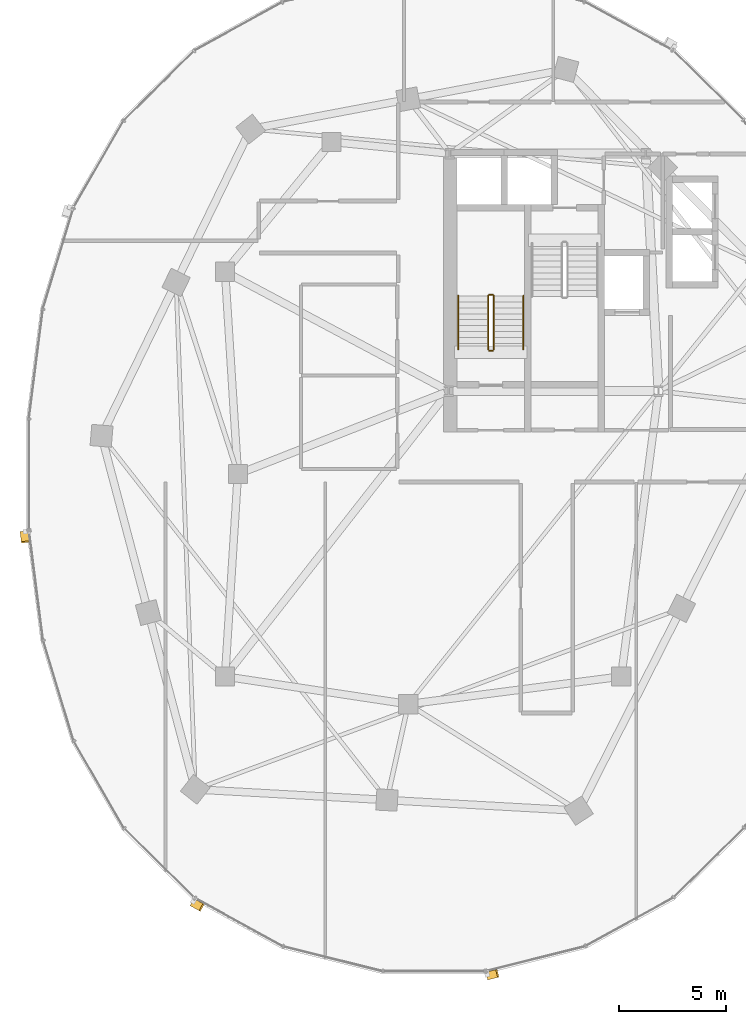
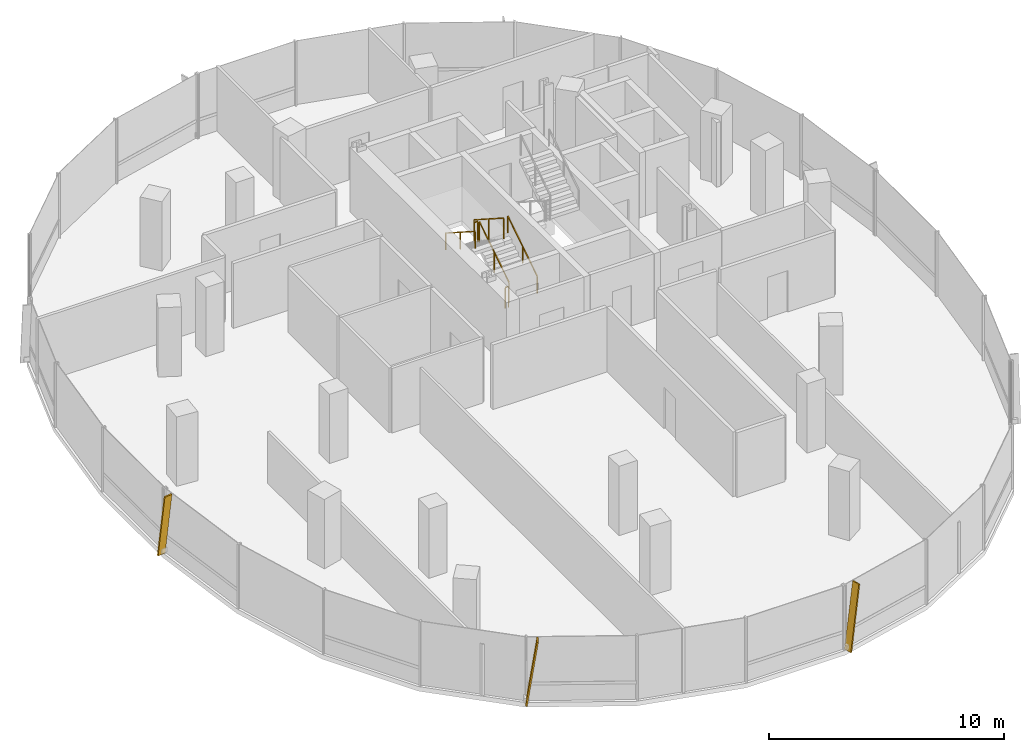
# One storey, part 18 of 22: 6 railings, 3 shading devices.
"""IFC4 building model written with IfcOpenShell, lengths in metres."""

from ifc_helpers import new_model, si_unit, direction, frame, origin, origin_2d, place, context, subcontext, project, spatial, rectangle, extrude, material, material_profile, profile_set, type_object, element, save


model = new_model("IFC4")

# Units and contexts
model_context = context("Model", 3, precision=1e-05, world=origin(), true_north=direction((0.0, 1.0)))
body_context = subcontext(model_context, "Body", "Model", "MODEL_VIEW")
ifc_project = project(units=[si_unit("LENGTHUNIT", "METRE"), si_unit("AREAUNIT", "SQUARE_METRE"), si_unit("VOLUMEUNIT", "CUBIC_METRE"), si_unit("PLANEANGLEUNIT", "RADIAN"), si_unit("MASSUNIT", "GRAM", prefix="KILO"), si_unit("THERMODYNAMICTEMPERATUREUNIT", "KELVIN"), si_unit("POWERUNIT", "WATT")], contexts=[model_context])

# Site, building, storey
site_placement = place(None, origin())
site = spatial("IfcSite", under=ifc_project, at=site_placement, CompositionType="ELEMENT")
building_placement = place(site_placement, origin())
building = spatial("IfcBuilding", under=site, at=building_placement, Name="Cundina Bronze Exchange", CompositionType="ELEMENT")
storey_placement = place(building_placement, frame((0.0, 0.0, 144.0)))
storey = spatial("IfcBuildingStorey", under=building, at=storey_placement, Name="L37", CompositionType="ELEMENT", Elevation=144.0)

# Railings
ifc_material_1 = material(Name="Steel ASTM A36 Painted", Category="steel")
railing_type_1 = type_object("IfcRailingType", Name="RLG-HND-900", PredefinedType="HANDRAIL", material=ifc_material_1)
railing_1_placement = place(storey_placement, frame((-27.7900390625, 5.85009765625, 0.179931640625)))
element("IfcRailing", 1, at=railing_1_placement, inside=storey, type_object=railing_type_1, Name="L37 ST-W1 stair handrail 1", PredefinedType="HANDRAIL", context=body_context, shape_type="SweptSolid", body=[
    extrude(rectangle(XDim=0.048095703125, YDim=0.048095703125, at=origin_2d()), frame((0.0, 0.0, 0.8759765625), z_axis=(0.0, 0.841162588446, 0.540782303519), x_axis=(-1.0, 0.0, 0.0)), (0.0, 0.0, 1.0), 2.995849609375),
    extrude(rectangle(XDim=0.0419921875, YDim=0.0419921875, at=origin_2d()), origin(), (0.0, 0.0, 1.0), 0.851806640625),
    extrude(rectangle(XDim=0.0419921875, YDim=0.0419921875, at=origin_2d()), frame((0.0, 1.260009765625, 0.81005859375)), (0.0, 0.0, 1.0), 0.851806640625),
    extrude(rectangle(XDim=0.0419921875, YDim=0.0419921875, at=origin_2d()), frame((0.0, 2.52001953125, 1.6201171875)), (0.0, 0.0, 1.0), 0.851806640625),
])
railing_2_placement = place(storey_placement, frame((-30.85009765625, 8.3701171875, 1.97998046875)))
element("IfcRailing", 2, at=railing_2_placement, inside=storey, type_object=railing_type_1, Name="L37 ST-W1 stair handrail 2", PredefinedType="HANDRAIL", context=body_context, shape_type="SweptSolid", body=[
    extrude(rectangle(XDim=0.048095703125, YDim=0.048095703125, at=origin_2d()), frame((0.0, 0.0, 0.8759765625), z_axis=(0.0, -0.841162588446, 0.540782303519), x_axis=(1.0, 0.0, 0.0)), (0.0, 0.0, 1.0), 2.995849609375),
    extrude(rectangle(XDim=0.0419921875, YDim=0.0419921875, at=origin_2d()), origin(), (0.0, 0.0, 1.0), 0.851806640625),
    extrude(rectangle(XDim=0.0419921875, YDim=0.0419921875, at=origin_2d()), frame((0.0, -1.260009765625, 0.81005859375)), (0.0, 0.0, 1.0), 0.851806640625),
    extrude(rectangle(XDim=0.0419921875, YDim=0.0419921875, at=origin_2d()), frame((0.0, -2.52001953125, 1.6201171875)), (0.0, 0.0, 1.0), 0.851806640625),
])
railing_type_2 = type_object("IfcRailingType", Name="RLG-STG-1100", PredefinedType="GUARDRAIL", material=ifc_material_1)
railing_3_placement = place(storey_placement, frame((-29.18994140625, 5.85009765625, 0.179931640625)))
element("IfcRailing", 3, at=railing_3_placement, inside=storey, type_object=railing_type_2, Name="L37 ST-W1 stair guard 1", PredefinedType="GUARDRAIL", context=body_context, shape_type="SweptSolid", body=[
    extrude(rectangle(XDim=0.048095703125, YDim=0.048095703125, at=origin_2d()), frame((0.0, 0.0, 1.076171875), z_axis=(0.0, 0.841162588446, 0.540782303519), x_axis=(-1.0, 0.0, 0.0)), (0.0, 0.0, 1.0), 2.995849609375),
    extrude(rectangle(XDim=0.0419921875, YDim=0.0419921875, at=origin_2d()), origin(), (0.0, 0.0, 1.0), 1.052001953125),
    extrude(rectangle(XDim=0.0419921875, YDim=0.0419921875, at=origin_2d()), frame((0.0, 1.260009765625, 0.81005859375)), (0.0, 0.0, 1.0), 1.052001953125),
    extrude(rectangle(XDim=0.0419921875, YDim=0.0419921875, at=origin_2d()), frame((0.0, 2.52001953125, 1.6201171875)), (0.0, 0.0, 1.0), 1.052001953125),
])
railing_4_placement = place(storey_placement, frame((-29.239990234375, 8.419921875, 1.800048828125)))
element("IfcRailing", 4, at=railing_4_placement, inside=storey, type_object=railing_type_2, Name="L37 ST-W1 stair guard 2", PredefinedType="GUARDRAIL", context=body_context, shape_type="SweptSolid", body=[
    extrude(rectangle(XDim=0.048095703125, YDim=0.048095703125, at=origin_2d()), frame((0.0, 0.0, 1.076171875), z_axis=(-1.0, 0.0, 0.0), x_axis=(0.0, -1.0, 0.0)), (0.0, 0.0, 1.0), 0.159912109375),
    extrude(rectangle(XDim=0.0419921875, YDim=0.0419921875, at=origin_2d()), origin(), (0.0, 0.0, 1.0), 1.052001953125),
    extrude(rectangle(XDim=0.0419921875, YDim=0.0419921875, at=origin_2d()), frame((-0.159912109375, 0.0, 0.0)), (0.0, 0.0, 1.0), 1.052001953125),
])
railing_5_placement = place(storey_placement, frame((-29.449951171875, 8.3701171875, 1.97998046875)))
element("IfcRailing", 5, at=railing_5_placement, inside=storey, type_object=railing_type_2, Name="L37 ST-W1 stair guard 3", PredefinedType="GUARDRAIL", context=body_context, shape_type="SweptSolid", body=[
    extrude(rectangle(XDim=0.048095703125, YDim=0.048095703125, at=origin_2d()), frame((0.0, 0.0, 1.076171875), z_axis=(0.0, -0.841162588446, 0.540782303519), x_axis=(1.0, 0.0, 0.0)), (0.0, 0.0, 1.0), 2.995849609375),
    extrude(rectangle(XDim=0.0419921875, YDim=0.0419921875, at=origin_2d()), origin(), (0.0, 0.0, 1.0), 1.052001953125),
    extrude(rectangle(XDim=0.0419921875, YDim=0.0419921875, at=origin_2d()), frame((0.0, -1.260009765625, 0.81005859375)), (0.0, 0.0, 1.0), 1.052001953125),
    extrude(rectangle(XDim=0.0419921875, YDim=0.0419921875, at=origin_2d()), frame((0.0, -2.52001953125, 1.6201171875)), (0.0, 0.0, 1.0), 1.052001953125),
])
railing_6_placement = place(storey_placement, frame((-29.239990234375, 5.800048828125, 0.0)))
element("IfcRailing", 6, at=railing_6_placement, inside=storey, type_object=railing_type_2, Name="L37 ST-W1 stair guard 4", PredefinedType="GUARDRAIL", context=body_context, shape_type="SweptSolid", body=[
    extrude(rectangle(XDim=0.048095703125, YDim=0.048095703125, at=origin_2d()), frame((0.0, 0.0, 1.076171875), z_axis=(-1.0, 0.0, 0.0), x_axis=(0.0, -1.0, 0.0)), (0.0, 0.0, 1.0), 0.159912109375),
    extrude(rectangle(XDim=0.0419921875, YDim=0.0419921875, at=origin_2d()), origin(), (0.0, 0.0, 1.0), 1.052001953125),
    extrude(rectangle(XDim=0.0419921875, YDim=0.0419921875, at=origin_2d()), frame((-0.159912109375, 0.0, 0.0)), (0.0, 0.0, 1.0), 1.052001953125),
])

# Shading devices
ifc_material_2 = material(Name="Anodised Bronze Aluminium 6063-T6", Category="aluminium")
ifc_material_profile = material_profile(ifc_material_2, rectangle(XDim=0.070068359375, YDim=0.3798828125, at=origin_2d()), Name="FIN70X380", Category="aluminium")
ifc_profile_set = profile_set([ifc_material_profile], Name="Anodised Bronze Aluminium 6063-T6")
shading_device_type = type_object("IfcShadingDeviceType", Name="SHD-FIN-BRZ380", PredefinedType="USERDEFINED", material=ifc_profile_set)
for number, where, z_axis, x_axis, name in (
    (7, (-51.23486328125, -2.705810546875, 0.02001953125), (0.018121805099, -0.141917750773, 0.989712560391), (-0.125360789044, 0.981741119016, 0.143070080046), "L37 Diagonal Bronze Solar Fin 1"),
    (8, (-43.320068359375, -20.11181640625, 0.02001953125), (0.125324460949, -0.068993954111, 0.989713905017), (-0.867011652888, 0.477309551067, 0.143060778049), "L37 Diagonal Bronze Solar Fin 5"),
    (9, (-29.48046875, -23.556396484375, 0.02001953125), (0.138788401144, 0.034715294885, 0.989713407007), (-0.960133415413, -0.240159223467, 0.14306422331), "L37 Diagonal Bronze Solar Fin 1"),
):
    element("IfcShadingDevice", number, at=place(storey_placement, frame(where, z_axis=z_axis, x_axis=x_axis)), inside=storey, type_object=shading_device_type, Name=name, ObjectType="FIN", PredefinedType="USERDEFINED", context=body_context, shape_type="SweptSolid", body=[
        extrude(rectangle(XDim=0.070068359375, YDim=0.3798828125, at=origin_2d()), origin(), (0.0, 0.0, 1.0), 3.3544921875),
    ])

save(model, "model.ifc")
